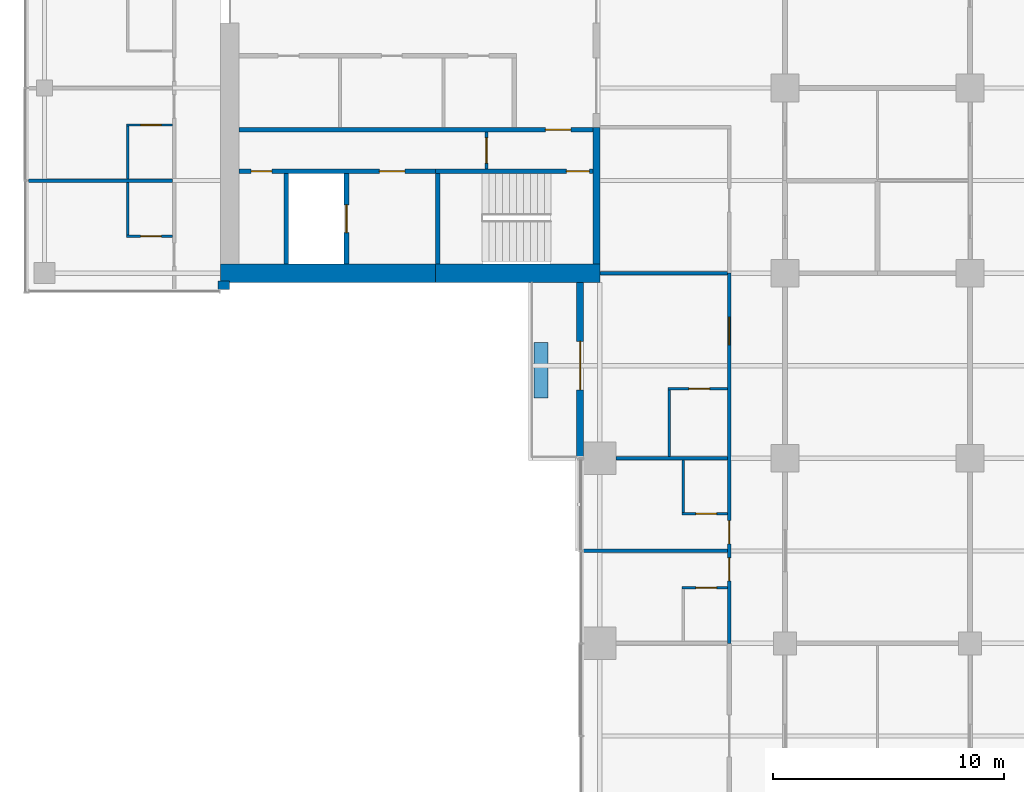
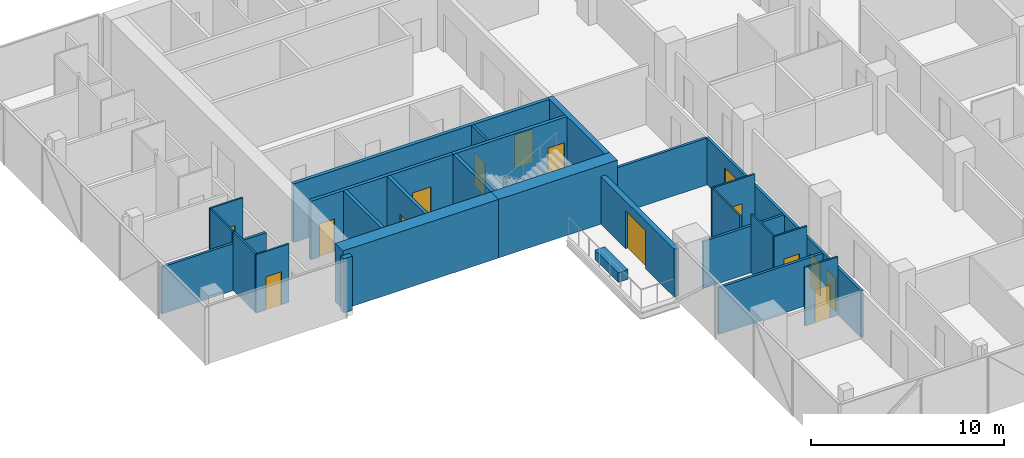
# One storey, part 15 of 27: 27 walls, 15 doors, 15 openings.
"""IFC4 building model written with IfcOpenShell, lengths in metres."""

from ifc_helpers import new_model, si_unit, direction, frame, frame_2d, origin, place, context, subcontext, project, spatial, rectangle, extrude, material, layer, layer_set, constituent, constituent_set, type_object, element, fill, save


model = new_model("IFC4")

# Units and contexts
model_context = context("Model", 3, precision=1e-05, world=origin(), true_north=direction((0.0, 1.0)))
body_context = subcontext(model_context, "Body", "Model", "MODEL_VIEW")
ifc_project = project(units=[si_unit("LENGTHUNIT", "METRE"), si_unit("AREAUNIT", "SQUARE_METRE"), si_unit("VOLUMEUNIT", "CUBIC_METRE"), si_unit("PLANEANGLEUNIT", "RADIAN"), si_unit("MASSUNIT", "GRAM", prefix="KILO")], contexts=[model_context])

# Site, building, storey
site_placement = place(None, origin())
site = spatial("IfcSite", under=ifc_project, at=site_placement, CompositionType="ELEMENT")
building_placement = place(site_placement, origin())
building = spatial("IfcBuilding", under=site, at=building_placement, Name="Crosswind Convention Tower", CompositionType="ELEMENT")
storey_placement = place(building_placement, frame((0.0, 0.0, 68.300048828125)))
storey = spatial("IfcBuildingStorey", under=building, at=storey_placement, Name="L11", CompositionType="ELEMENT", Elevation=68.300048828125)

# Wall
ifc_material_1 = material(Name="Concrete C50/60", Category="concrete")
ifc_layer_1 = layer(ifc_material_1, 0.300048828125)
ifc_layer_set_1 = layer_set([ifc_layer_1], Name="Concrete C50/60")
wall_type_1 = type_object("IfcWallType", Name="Concrete inner core wall 300", PredefinedType="SHEAR", material=ifc_layer_set_1)
wall_1_placement = place(storey_placement, frame((112.85009765625, 94.300048828125, 0.0), z_axis=(0.0, 0.0, 1.0), x_axis=(0.0, -1.0, 0.0)))
element("IfcWall", 1, at=wall_1_placement, inside=storey, type_object=wall_type_1, Name="Wall EP W L11", PredefinedType="SHEAR", context=body_context, shape_type="SweptSolid", body=[
    extrude(rectangle(XDim=5.900146484375, YDim=0.300048828125, at=frame_2d((2.9501953125, 0.0))), origin(), (0.0, 0.0, 1.0), 3.699951171875),
])

# Wall, opening, door
ifc_layer_2 = layer(ifc_material_1, 0.199951171875)
ifc_layer_set_2 = layer_set([ifc_layer_2], Name="Concrete C50/60")
wall_type_2 = type_object("IfcWallType", Name="Concrete shaft and stair wall 200", PredefinedType="SHEAR", material=ifc_layer_set_2)
wall_2_placement = place(storey_placement, frame((112.699951171875, 94.199951171875, 0.0), z_axis=(0.0, 0.0, 1.0), x_axis=(-1.0, 0.0, 0.0)))
wall_2 = element("IfcWall", 2, at=wall_2_placement, inside=storey, type_object=wall_type_2, Name="Wall HP W L11", PredefinedType="SHEAR", context=body_context, shape_type="SweptSolid", body=[
    extrude(rectangle(XDim=15.300048828125, YDim=0.199951171875, at=frame_2d((7.64990234375, 0.0))), origin(), (0.0, 0.0, 1.0), 3.699951171875),
])
opening_1_placement = place(wall_2_placement, frame((0.949951171875, 0.0, 0.0)))
opening_1 = element("IfcOpeningElement", 3, at=opening_1_placement, cuts=wall_2, Name="Opening D104", PredefinedType="OPENING", context=body_context, shape_type="SweptSolid", body=[
    extrude(rectangle(XDim=1.10009765625, YDim=2.10009765625, at=frame_2d((0.550048828125, 1.050048828125))), frame((0.0, 0.10986328125, 0.0), z_axis=(0.0, -1.0, 0.0), x_axis=(1.0, 0.0, 0.0)), (0.0, 0.0, 1.0), 0.219970703125),
])
ifc_material_2 = material(Name="Steel fire door", Category="steel")
door_type_1 = type_object("IfcDoorType", Name="Fire-rated single door 1100x2100", OperationType="NOTDEFINED", PredefinedType="DOOR", material=ifc_material_2)
door_1_placement = place(opening_1_placement, origin())
door_1 = element("IfcDoor", 4, at=door_1_placement, inside=storey, type_object=door_type_1, Name="Corridor door L11", ObjectType="D104", OperationType="SINGLE_SWING_LEFT", OverallHeight=2.10009765625, OverallWidth=1.10009765625, PredefinedType="DOOR", context=body_context, shape_type="SweptSolid", body=[
    extrude(rectangle(XDim=1.10009765625, YDim=2.10009765625, at=frame_2d((0.550048828125, 1.050048828125))), frame((0.0, 0.02490234375, 0.0), z_axis=(0.0, -1.0, 0.0), x_axis=(1.0, 0.0, 0.0)), (0.0, 0.0, 1.0), 0.050048828125),
])
fill(opening_1, door_1)

# Wall
wall_3_placement = place(storey_placement, frame((106.0, 92.300048828125, 0.0), z_axis=(0.0, 0.0, 1.0), x_axis=(0.0, -1.0, 0.0)))
element("IfcWall", 5, at=wall_3_placement, inside=storey, type_object=wall_type_2, Name="Wall PSE W L11", PredefinedType="SHEAR", context=body_context, shape_type="SweptSolid", body=[
    extrude(rectangle(XDim=3.900146484375, YDim=0.199951171875, at=frame_2d((1.9501953125, 0.0))), origin(), (0.0, 0.0, 1.0), 3.699951171875),
])

# Wall, opening, door
wall_4_placement = place(storey_placement, frame((102.050048828125, 92.300048828125, 0.0), z_axis=(0.0, 0.0, 1.0), x_axis=(0.0, -1.0, 0.0)))
wall_4 = element("IfcWall", 6, at=wall_4_placement, inside=storey, type_object=wall_type_2, Name="Wall PFLW W L11", PredefinedType="SHEAR", context=body_context, shape_type="SweptSolid", body=[
    extrude(rectangle(XDim=3.900146484375, YDim=0.199951171875, at=frame_2d((1.9501953125, 0.0))), origin(), (0.0, 0.0, 1.0), 3.699951171875),
])
opening_2_placement = place(wall_4_placement, frame((1.35009765625, 0.0, 0.0)))
opening_2 = element("IfcOpeningElement", 7, at=opening_2_placement, cuts=wall_4, Name="Opening LD1", PredefinedType="OPENING", context=body_context, shape_type="SweptSolid", body=[
    extrude(rectangle(XDim=1.199951171875, YDim=2.10009765625, at=frame_2d((0.60009765625, 1.050048828125))), frame((0.0, 0.10986328125, 0.0), z_axis=(0.0, -1.0, 0.0), x_axis=(1.0, 0.0, 0.0)), (0.0, 0.0, 1.0), 0.219970703125),
])
ifc_material_3 = material(Name="Stainless steel", Category="steel")
door_type_2 = type_object("IfcDoorType", Name="Lift landing door 1200x2100", OperationType="DOUBLE_DOOR_SLIDING", PredefinedType="DOOR", material=ifc_material_3)
door_2_placement = place(opening_2_placement, origin())
door_2 = element("IfcDoor", 8, at=door_2_placement, inside=storey, type_object=door_type_2, Name="Landing door FF2 L11", ObjectType="LD1", OperationType="DOUBLE_DOOR_SLIDING", OverallHeight=2.10009765625, OverallWidth=1.199951171875, PredefinedType="DOOR", context=body_context, shape_type="SweptSolid", body=[
    extrude(rectangle(XDim=1.199951171875, YDim=2.10009765625, at=frame_2d((0.60009765625, 1.050048828125))), frame((0.0, 0.02490234375, 0.0), z_axis=(0.0, -1.0, 0.0), x_axis=(1.0, 0.0, 0.0)), (0.0, 0.0, 1.0), 0.050048828125),
])
fill(opening_2, door_2)

# Wall
wall_5_placement = place(storey_placement, frame((99.449951171875, 92.300048828125, 0.0), z_axis=(0.0, 0.0, 1.0), x_axis=(0.0, -1.0, 0.0)))
element("IfcWall", 9, at=wall_5_placement, inside=storey, type_object=wall_type_2, Name="Wall PFSE W L11", PredefinedType="SHEAR", context=body_context, shape_type="SweptSolid", body=[
    extrude(rectangle(XDim=3.900146484375, YDim=0.199951171875, at=frame_2d((1.9501953125, 0.0))), origin(), (0.0, 0.0, 1.0), 3.699951171875),
])

# Wall, opening, door
wall_6_placement = place(storey_placement, frame((112.699951171875, 92.39990234375, 0.0), z_axis=(0.0, 0.0, 1.0), x_axis=(-1.0, 0.0, 0.0)))
wall_6 = element("IfcWall", 10, at=wall_6_placement, inside=storey, type_object=wall_type_2, Name="Wall PCW W L11", PredefinedType="SHEAR", context=body_context, shape_type="SweptSolid", body=[
    extrude(rectangle(XDim=6.800048828125, YDim=0.199951171875, at=frame_2d((3.39990234375, 0.0))), origin(), (0.0, 0.0, 1.0), 3.699951171875),
])
opening_3_placement = place(wall_6_placement, frame((0.14990234375, 0.0, 0.0)))
opening_3 = element("IfcOpeningElement", 11, at=opening_3_placement, cuts=wall_6, Name="Opening D103", PredefinedType="OPENING", context=body_context, shape_type="SweptSolid", body=[
    extrude(rectangle(XDim=1.0, YDim=2.10009765625, at=frame_2d((0.5, 1.050048828125))), frame((0.0, 0.10986328125, 0.0), z_axis=(0.0, -1.0, 0.0), x_axis=(1.0, 0.0, 0.0)), (0.0, 0.0, 1.0), 0.219970703125),
])
door_type_3 = type_object("IfcDoorType", Name="Fire-rated single door 1000x2100", OperationType="NOTDEFINED", PredefinedType="DOOR", material=ifc_material_2)
door_3_placement = place(opening_3_placement, origin())
door_3 = element("IfcDoor", 12, at=door_3_placement, inside=storey, type_object=door_type_3, Name="Stair ST3 door L11", ObjectType="D103", OperationType="SINGLE_SWING_LEFT", OverallHeight=2.10009765625, OverallWidth=1.0, PredefinedType="DOOR", context=body_context, shape_type="SweptSolid", body=[
    extrude(rectangle(XDim=1.0, YDim=2.10009765625, at=frame_2d((0.5, 1.050048828125))), frame((0.0, 0.02490234375, 0.0), z_axis=(0.0, -1.0, 0.0), x_axis=(1.0, 0.0, 0.0)), (0.0, 0.0, 1.0), 0.050048828125),
])
fill(opening_3, door_3)

# Wall, openings, doors
wall_7_placement = place(storey_placement, frame((105.89990234375, 92.39990234375, 0.0), z_axis=(0.0, 0.0, 1.0), x_axis=(-1.0, 0.0, 0.0)))
wall_7 = element("IfcWall", 13, at=wall_7_placement, inside=storey, type_object=wall_type_2, Name="Wall PCX W L11", PredefinedType="SHEAR", context=body_context, shape_type="SweptSolid", body=[
    extrude(rectangle(XDim=8.5, YDim=0.199951171875, at=frame_2d((4.25, 0.0))), origin(), (0.0, 0.0, 1.0), 3.699951171875),
])
opening_4_placement = place(wall_7_placement, frame((1.324951171875, 0.0, 0.0)))
opening_4 = element("IfcOpeningElement", 14, at=opening_4_placement, cuts=wall_7, Name="Opening D104", PredefinedType="OPENING", context=body_context, shape_type="SweptSolid", body=[
    extrude(rectangle(XDim=1.10009765625, YDim=2.10009765625, at=frame_2d((0.550048828125, 1.050048828125))), frame((0.0, 0.10986328125, 0.0), z_axis=(0.0, -1.0, 0.0), x_axis=(1.0, 0.0, 0.0)), (0.0, 0.0, 1.0), 0.219970703125),
])
opening_5_placement = place(wall_7_placement, frame((7.074951171875, 0.0, 0.0)))
opening_5 = element("IfcOpeningElement", 15, at=opening_5_placement, cuts=wall_7, Name="Opening D106", PredefinedType="OPENING", context=body_context, shape_type="SweptSolid", body=[
    extrude(rectangle(XDim=0.89990234375, YDim=2.10009765625, at=frame_2d((0.449951171875, 1.050048828125))), frame((0.0, 0.10986328125, 0.0), z_axis=(0.0, -1.0, 0.0), x_axis=(1.0, 0.0, 0.0)), (0.0, 0.0, 1.0), 0.219970703125),
])
door_4_placement = place(opening_4_placement, origin())
door_4 = element("IfcDoor", 16, at=door_4_placement, inside=storey, type_object=door_type_1, Name="Fire-fighting lobby FF2 door L11", ObjectType="D104", OperationType="SINGLE_SWING_RIGHT", OverallHeight=2.10009765625, OverallWidth=1.10009765625, PredefinedType="DOOR", context=body_context, shape_type="SweptSolid", body=[
    extrude(rectangle(XDim=1.10009765625, YDim=2.10009765625, at=frame_2d((0.550048828125, 1.050048828125))), frame((0.0, 0.02490234375, 0.0), z_axis=(0.0, -1.0, 0.0), x_axis=(1.0, 0.0, 0.0)), (0.0, 0.0, 1.0), 0.050048828125),
])
fill(opening_4, door_4)
ifc_material_4 = material(Name="Timber door", Category="wood")
door_type_4 = type_object("IfcDoorType", Name="Single leaf door 900x2100", OperationType="NOTDEFINED", PredefinedType="DOOR", material=ifc_material_4)
door_5_placement = place(opening_5_placement, origin())
door_5 = element("IfcDoor", 17, at=door_5_placement, inside=storey, type_object=door_type_4, Name="Door to cleaners' store L11", ObjectType="D106", OperationType="SINGLE_SWING_RIGHT", OverallHeight=2.10009765625, OverallWidth=0.89990234375, PredefinedType="DOOR", context=body_context, shape_type="SweptSolid", body=[
    extrude(rectangle(XDim=0.89990234375, YDim=2.10009765625, at=frame_2d((0.449951171875, 1.050048828125))), frame((0.0, 0.02490234375, 0.0), z_axis=(0.0, -1.0, 0.0), x_axis=(1.0, 0.0, 0.0)), (0.0, 0.0, 1.0), 0.050048828125),
])
fill(opening_5, door_5)

# Wall, opening, door
ifc_material_5 = material(Name="Gypsum plasterboard partition", Category="gypsum")
ifc_layer_3 = layer(ifc_material_5, 0.125)
ifc_layer_set_3 = layer_set([ifc_layer_3], Name="Drywall partition wall 125")
wall_type_3 = type_object("IfcWallType", Name="Drywall partition wall 125", PredefinedType="PARTITIONING", material=ifc_layer_set_3)
wall_8_placement = place(storey_placement, frame((108.10009765625, 94.10009765625, 0.0), z_axis=(0.0, 0.0, 1.0), x_axis=(0.0, -1.0, 0.0)))
wall_8 = element("IfcWall", 18, at=wall_8_placement, inside=storey, type_object=wall_type_3, Name="Wall PXC1 W L11", PredefinedType="PARTITIONING", context=body_context, shape_type="SweptSolid", body=[
    extrude(rectangle(XDim=1.60009765625, YDim=0.125, at=frame_2d((0.800048828125, 0.0))), origin(), (0.0, 0.0, 1.0), 3.699951171875),
])
opening_6_placement = place(wall_8_placement, frame((0.25, 0.0, 0.0)))
opening_6 = element("IfcOpeningElement", 19, at=opening_6_placement, cuts=wall_8, Name="Opening D104", PredefinedType="OPENING", context=body_context, shape_type="SweptSolid", body=[
    extrude(rectangle(XDim=1.10009765625, YDim=2.10009765625, at=frame_2d((0.550048828125, 1.050048828125))), frame((0.0, 0.072509765625, 0.0), z_axis=(0.0, -1.0, 0.0), x_axis=(1.0, 0.0, 0.0)), (0.0, 0.0, 1.0), 0.14501953125),
])
door_6_placement = place(opening_6_placement, origin())
door_6 = element("IfcDoor", 20, at=door_6_placement, inside=storey, type_object=door_type_1, Name="Corridor smoke door L11", ObjectType="D104", OperationType="SINGLE_SWING_RIGHT", OverallHeight=2.10009765625, OverallWidth=1.10009765625, PredefinedType="DOOR", context=body_context, shape_type="SweptSolid", body=[
    extrude(rectangle(XDim=1.10009765625, YDim=2.10009765625, at=frame_2d((0.550048828125, 1.050048828125))), frame((0.0, 0.02490234375, 0.0), z_axis=(0.0, -1.0, 0.0), x_axis=(1.0, 0.0, 0.0)), (0.0, 0.0, 1.0), 0.050048828125),
])
fill(opening_6, door_6)

# Walls
ifc_material_6 = material(Name="Acoustic plasterboard partition", Category="gypsum")
ifc_layer_4 = layer(ifc_material_6, 0.14990234375)
ifc_layer_set_4 = layer_set([ifc_layer_4], Name="GUEST ROOM WALL 150")
wall_type_4 = type_object("IfcWallType", Name="GUEST ROOM WALL 150", PredefinedType="PARTITIONING", material=ifc_layer_set_4)
wall_9_placement = place(storey_placement, frame((112.300048828125, 76.0, 0.0), z_axis=(0.0, 0.0, 1.0), x_axis=(1.0, 0.0, 0.0)))
element("IfcWall", 21, at=wall_9_placement, inside=storey, type_object=wall_type_4, Name="Guest Room Wall 8", PredefinedType="PARTITIONING", context=body_context, shape_type="SweptSolid", body=[
    extrude(rectangle(XDim=6.224853515625, YDim=0.14990234375, at=frame_2d((3.1123046875, 0.0))), origin(), (0.0, 0.0, 1.0), 2.962646484375),
])
wall_10_placement = place(storey_placement, frame((113.699951171875, 80.0, 0.0), z_axis=(0.0, 0.0, 1.0), x_axis=(1.0, 0.0, 0.0)))
element("IfcWall", 22, at=wall_10_placement, inside=storey, type_object=wall_type_4, Name="Guest Room Wall 11", PredefinedType="PARTITIONING", context=body_context, shape_type="SweptSolid", body=[
    extrude(rectangle(XDim=4.824951171875, YDim=0.14990234375, at=frame_2d((2.41259765625, 0.0))), origin(), (0.0, 0.0, 1.0), 2.959716796875),
])
wall_11_placement = place(storey_placement, frame((113.0, 88.0, 0.0), z_axis=(0.0, 0.0, 1.0), x_axis=(1.0, 0.0, 0.0)))
element("IfcWall", 23, at=wall_11_placement, inside=storey, type_object=wall_type_4, Name="Guest Room Wall 15", PredefinedType="PARTITIONING", context=body_context, shape_type="SweptSolid", body=[
    extrude(rectangle(XDim=5.52490234375, YDim=0.14990234375, at=frame_2d((2.762451171875, 0.0))), origin(), (0.0, 0.0, 1.0), 2.956298828125),
])
wall_12_placement = place(storey_placement, frame((88.300048828125, 92.0, 0.0), z_axis=(0.0, 0.0, 1.0), x_axis=(1.0, 0.0, 0.0)))
element("IfcWall", 24, at=wall_12_placement, inside=storey, type_object=wall_type_4, Name="Guest Room Wall 21", PredefinedType="PARTITIONING", context=body_context, shape_type="SweptSolid", body=[
    extrude(rectangle(XDim=6.224853515625, YDim=0.14990234375, at=frame_2d((3.1123046875, 0.0))), origin(), (0.0, 0.0, 1.0), 2.962646484375),
])

# Wall, openings, doors
wall_13_placement = place(storey_placement, frame((118.60009765625, 72.0, 0.0), z_axis=(0.0, 0.0, 1.0), x_axis=(0.0, 1.0, 0.0)))
wall_13 = element("IfcWall", 25, at=wall_13_placement, inside=storey, type_object=wall_type_4, Name="Guest Room Wall 83", PredefinedType="PARTITIONING", context=body_context, shape_type="SweptSolid", body=[
    extrude(rectangle(XDim=16.0, YDim=0.14990234375, at=frame_2d((8.0, 0.0))), origin(), (0.0, 0.0, 1.0), 2.956298828125),
])
opening_7_placement = place(wall_13_placement, frame((12.89990234375, 0.0, 0.0)))
opening_7 = element("IfcOpeningElement", 26, at=opening_7_placement, cuts=wall_13, Name="Opening 11.028", PredefinedType="OPENING", context=body_context, shape_type="SweptSolid", body=[
    extrude(rectangle(XDim=1.199951171875, YDim=2.199951171875, at=frame_2d((0.60009765625, 1.10009765625))), frame((0.0, 0.0849609375, 0.0), z_axis=(0.0, -1.0, 0.0), x_axis=(1.0, 0.0, 0.0)), (0.0, 0.0, 1.0), 0.169921875),
])
opening_8_placement = place(wall_13_placement, frame((4.300048828125, 0.0, 0.0)))
opening_8 = element("IfcOpeningElement", 27, at=opening_8_placement, cuts=wall_13, Name="Opening 11.030", PredefinedType="OPENING", context=body_context, shape_type="SweptSolid", body=[
    extrude(rectangle(XDim=1.0, YDim=2.10009765625, at=frame_2d((0.5, 1.050048828125))), frame((0.0, 0.0849609375, 0.0), z_axis=(0.0, -1.0, 0.0), x_axis=(1.0, 0.0, 0.0)), (0.0, 0.0, 1.0), 0.169921875),
])
opening_9_placement = place(wall_13_placement, frame((2.699951171875, 0.0, 0.0)))
opening_9 = element("IfcOpeningElement", 28, at=opening_9_placement, cuts=wall_13, Name="Opening 11.032", PredefinedType="OPENING", context=body_context, shape_type="SweptSolid", body=[
    extrude(rectangle(XDim=1.0, YDim=2.10009765625, at=frame_2d((0.5, 1.050048828125))), frame((0.0, 0.0849609375, 0.0), z_axis=(0.0, -1.0, 0.0), x_axis=(1.0, 0.0, 0.0)), (0.0, 0.0, 1.0), 0.169921875),
])
ifc_material_7 = material(Name="Timber fire door", Category="wood")
door_type_5 = type_object("IfcDoorType", Name="GUEST ROOM DOOR 1000X2100", OperationType="NOTDEFINED", PredefinedType="DOOR", material=ifc_material_7)
door_7_placement = place(opening_8_placement, origin())
door_7 = element("IfcDoor", 29, at=door_7_placement, inside=storey, type_object=door_type_5, Name="Door 11.030", ObjectType="D1", OperationType="SINGLE_SWING_RIGHT", OverallHeight=2.10009765625, OverallWidth=1.0, PredefinedType="DOOR", context=body_context, shape_type="SweptSolid", body=[
    extrude(rectangle(XDim=1.0, YDim=2.10009765625, at=frame_2d((0.5, 1.050048828125))), frame((0.0, 0.02490234375, 0.0), z_axis=(0.0, -1.0, 0.0), x_axis=(1.0, 0.0, 0.0)), (0.0, 0.0, 1.0), 0.050048828125),
])
fill(opening_8, door_7)
door_8_placement = place(opening_9_placement, origin())
door_8 = element("IfcDoor", 30, at=door_8_placement, inside=storey, type_object=door_type_5, Name="Door 11.032", ObjectType="D1", OperationType="SINGLE_SWING_RIGHT", OverallHeight=2.10009765625, OverallWidth=1.0, PredefinedType="DOOR", context=body_context, shape_type="SweptSolid", body=[
    extrude(rectangle(XDim=1.0, YDim=2.10009765625, at=frame_2d((0.5, 1.050048828125))), frame((0.0, 0.02490234375, 0.0), z_axis=(0.0, -1.0, 0.0), x_axis=(1.0, 0.0, 0.0)), (0.0, 0.0, 1.0), 0.050048828125),
])
fill(opening_9, door_8)
door_type_6 = type_object("IfcDoorType", Name="SUITE DOOR 1200X2200", OperationType="DOUBLE_DOOR_SINGLE_SWING", PredefinedType="DOOR", material=ifc_material_7)
door_9_placement = place(opening_7_placement, origin())
door_9 = element("IfcDoor", 31, at=door_9_placement, inside=storey, type_object=door_type_6, Name="Door 11.028", ObjectType="D14", OperationType="DOUBLE_DOOR_SINGLE_SWING", OverallHeight=2.199951171875, OverallWidth=1.199951171875, PredefinedType="DOOR", context=body_context, shape_type="SweptSolid", body=[
    extrude(rectangle(XDim=1.199951171875, YDim=2.199951171875, at=frame_2d((0.60009765625, 1.10009765625))), frame((0.0, 0.02490234375, 0.0), z_axis=(0.0, -1.0, 0.0), x_axis=(1.0, 0.0, 0.0)), (0.0, 0.0, 1.0), 0.050048828125),
])
fill(opening_7, door_9)

# Walls
ifc_material_8 = material(Name="Concrete C30/37", Category="concrete")
ifc_layer_5 = layer(ifc_material_8, 0.60009765625)
ifc_layer_set_5 = layer_set([ifc_layer_5], Name="Concrete C30/37")
wall_type_5 = type_object("IfcWallType", Name="PLANTER BOX WALL 600", PredefinedType="SOLIDWALL", material=ifc_layer_set_5)
wall_14_placement = place(storey_placement, frame((110.449951171875, 85.0, 0.0), z_axis=(0.0, 0.0, 1.0), x_axis=(0.0, -1.0, 0.0)))
element("IfcWall", 32, at=wall_14_placement, inside=storey, type_object=wall_type_5, Name="PLANTER L11 S-W.1-1", PredefinedType="SOLIDWALL", context=body_context, shape_type="SweptSolid", body=[
    extrude(rectangle(XDim=2.39990234375, YDim=0.60009765625, at=frame_2d((1.199951171875, 0.0))), origin(), (0.0, 0.0, 1.0), 0.599853515625),
])
ifc_material_9 = material(Name="Terracotta rainscreen", Category="ceramic")
ifc_layer_6 = layer(ifc_material_9, 0.02001953125)
ifc_material_10 = material(Name="Mineral wool insulation", Category="insulation")
ifc_layer_7 = layer(ifc_material_10, 0.10009765625)
ifc_material_11 = material(Name="Concrete blockwork", Category="masonry")
ifc_layer_8 = layer(ifc_material_11, 0.236083984375)
ifc_layer_set_6 = layer_set([ifc_layer_6, ifc_layer_7, ifc_layer_8], Name="TERRACOTTA CORNER INFILL WALL 356")
wall_type_6 = type_object("IfcWallType", Name="TERRACOTTA CORNER INFILL WALL 356", PredefinedType="SOLIDWALL", material=ifc_layer_set_6)
wall_15_placement = place(storey_placement, frame((96.4951171875, 87.47802734375, 0.0), z_axis=(0.0, 0.0, 1.0), x_axis=(1.0, 0.0, 0.0)))
element("IfcWall", 33, at=wall_15_placement, inside=storey, type_object=wall_type_6, Name="Core corner infill wall L11 3", PredefinedType="SOLIDWALL", context=body_context, shape_type="SweptSolid", body=[
    extrude(rectangle(XDim=0.5048828125, YDim=0.35595703125, at=frame_2d((0.25244140625, 0.0))), origin(), (0.0, 0.0, 1.0), 3.419921875),
])

# Wall, opening, door
ifc_layer_9 = layer(ifc_material_9, 0.02001953125)
ifc_layer_10 = layer(ifc_material_10, 0.10009765625)
ifc_layer_11 = layer(ifc_material_11, 0.179931640625)
ifc_layer_set_7 = layer_set([ifc_layer_9, ifc_layer_10, ifc_layer_11], Name="TERRACOTTA INFILL WALL 300")
wall_type_7 = type_object("IfcWallType", Name="TERRACOTTA INFILL WALL 300", PredefinedType="SOLIDWALL", material=ifc_layer_set_7)
wall_16_placement = place(storey_placement, frame((112.14990234375, 87.60009765625, 0.0), z_axis=(0.0, 0.0, 1.0), x_axis=(0.0, -1.0, 0.0)))
wall_16 = element("IfcWall", 34, at=wall_16_placement, inside=storey, type_object=wall_type_7, Name="Notch front wall L11 S-W.1-1", PredefinedType="SOLIDWALL", context=body_context, shape_type="SweptSolid", body=[
    extrude(rectangle(XDim=7.567626953125, YDim=0.300048828125, at=frame_2d((3.78369140625, 0.0))), origin(), (0.0, 0.0, 1.0), 3.013671875),
])
opening_10_placement = place(wall_16_placement, frame((2.550048828125, 0.0, 0.0)))
opening_10 = element("IfcOpeningElement", 35, at=opening_10_placement, cuts=wall_16, Name="Opening D141", PredefinedType="OPENING", context=body_context, shape_type="SweptSolid", body=[
    extrude(rectangle(XDim=2.10009765625, YDim=2.39990234375, at=frame_2d((1.050048828125, 1.199951171875))), frame((0.0, 0.159912109375, 0.0), z_axis=(0.0, -1.0, 0.0), x_axis=(1.0, 0.0, 0.0)), (0.0, 0.0, 1.0), 0.320068359375),
])
ifc_material_12 = material(Name="Aluminium glazed door", Category="aluminium")
door_type_7 = type_object("IfcDoorType", Name="BALCONY SLIDING DOOR 2100X2400", OperationType="SLIDING_TO_LEFT", PredefinedType="DOOR", material=ifc_material_12)
door_10_placement = place(opening_10_placement, frame((2.10009765625, 0.0, 0.0), z_axis=(0.0, 0.0, 1.0), x_axis=(-1.0, 0.0, 0.0)))
door_10 = element("IfcDoor", 36, at=door_10_placement, inside=storey, type_object=door_type_7, Name="D141 balcony door L11 S-W.1-1", ObjectType="D141", OperationType="SLIDING_TO_LEFT", OverallHeight=2.39990234375, OverallWidth=2.10009765625, PredefinedType="DOOR", context=body_context, shape_type="SweptSolid", body=[
    extrude(rectangle(XDim=2.10009765625, YDim=2.39990234375, at=frame_2d((1.050048828125, 1.199951171875))), frame((0.0, 0.02490234375, 0.0), z_axis=(0.0, -1.0, 0.0), x_axis=(1.0, 0.0, 0.0)), (0.0, 0.0, 1.0), 0.050048828125),
])
fill(opening_10, door_10)

# Walls
ifc_material_13 = material(Name="Concrete C60/75", Category="concrete")
ifc_constituent_1 = constituent(ifc_material_13, Name="Structure")
ifc_constituent_2 = constituent(ifc_material_9, Name="Facing")
ifc_constituent_set = constituent_set(constituents=[ifc_constituent_1, ifc_constituent_2], Name="Concrete C60/75, Terracotta rainscreen")
wall_type_8 = type_object("IfcWallType", Name="Terracotta rainscreen on concrete core wall 800", PredefinedType="SHEAR", material=ifc_constituent_set)
wall_17_placement = place(storey_placement, frame((113.0, 88.0, 0.0), z_axis=(0.0, 0.0, 1.0), x_axis=(-1.0, 0.0, 0.0)))
element("IfcWall", 37, at=wall_17_placement, inside=storey, type_object=wall_type_8, Name="Wall N1 W L11", PredefinedType="SHEAR", context=body_context, shape_type="SweptSolid", body=[
    extrude(rectangle(XDim=7.10009765625, YDim=0.800048828125, at=frame_2d((3.550048828125, 0.0))), origin(), (0.0, 0.0, 1.0), 3.699951171875),
])
wall_18_placement = place(storey_placement, frame((105.89990234375, 88.0, 0.0), z_axis=(0.0, 0.0, 1.0), x_axis=(-1.0, 0.0, 0.0)))
element("IfcWall", 38, at=wall_18_placement, inside=storey, type_object=wall_type_8, Name="Wall N2 W L11", PredefinedType="SHEAR", context=body_context, shape_type="SweptSolid", body=[
    extrude(rectangle(XDim=9.2998046875, YDim=0.800048828125, at=frame_2d((4.64990234375, 0.0))), origin(), (0.0, 0.0, 1.0), 3.699951171875),
])

# Wall, opening, door
ifc_material_14 = material(Name="Water-resistant plasterboard partition", Category="gypsum")
ifc_layer_12 = layer(ifc_material_14, 0.10009765625)
ifc_layer_set_8 = layer_set([ifc_layer_12], Name="WET ROOM PARTITION 100")
wall_type_9 = type_object("IfcWallType", Name="WET ROOM PARTITION 100", PredefinedType="PLUMBINGWALL", material=ifc_layer_set_8)
wall_19_placement = place(storey_placement, frame((116.550048828125, 74.39990234375, 0.0), z_axis=(0.0, 0.0, 1.0), x_axis=(1.0, 0.0, 0.0)))
wall_19 = element("IfcWall", 39, at=wall_19_placement, inside=storey, type_object=wall_type_9, Name="Wet Room Partition 7", PredefinedType="PLUMBINGWALL", context=body_context, shape_type="SweptSolid", body=[
    extrude(rectangle(XDim=1.974853515625, YDim=0.10009765625, at=frame_2d((0.9873046875, 0.0))), origin(), (0.0, 0.0, 1.0), 3.699951171875),
])
opening_11_placement = place(wall_19_placement, frame((0.60009765625, 0.0, 0.0)))
opening_11 = element("IfcOpeningElement", 40, at=opening_11_placement, cuts=wall_19, Name="Opening 11.033", PredefinedType="OPENING", context=body_context, shape_type="SweptSolid", body=[
    extrude(rectangle(XDim=0.89990234375, YDim=2.10009765625, at=frame_2d((0.449951171875, 1.050048828125))), frame((0.0, 0.06005859375, 0.0), z_axis=(0.0, -1.0, 0.0), x_axis=(1.0, 0.0, 0.0)), (0.0, 0.0, 1.0), 0.1201171875),
])
door_type_8 = type_object("IfcDoorType", Name="EN-SUITE DOOR 900X2100", OperationType="NOTDEFINED", PredefinedType="DOOR", material=ifc_material_4)
door_11_placement = place(opening_11_placement, frame((0.89990234375, 0.0, 0.0), z_axis=(0.0, 0.0, 1.0), x_axis=(-1.0, 0.0, 0.0)))
door_11 = element("IfcDoor", 41, at=door_11_placement, inside=storey, type_object=door_type_8, Name="Door 11.033", ObjectType="D2", OperationType="SINGLE_SWING_LEFT", OverallHeight=2.10009765625, OverallWidth=0.89990234375, PredefinedType="DOOR", context=body_context, shape_type="SweptSolid", body=[
    extrude(rectangle(XDim=0.89990234375, YDim=2.10009765625, at=frame_2d((0.449951171875, 1.050048828125))), frame((0.0, 0.02490234375, 0.0), z_axis=(0.0, -1.0, 0.0), x_axis=(1.0, 0.0, 0.0)), (0.0, 0.0, 1.0), 0.050048828125),
])
fill(opening_11, door_11)

wall_20_placement = place(storey_placement, frame((116.550048828125, 77.60009765625, 0.0), z_axis=(0.0, 0.0, 1.0), x_axis=(1.0, 0.0, 0.0)))
wall_20 = element("IfcWall", 42, at=wall_20_placement, inside=storey, type_object=wall_type_9, Name="Wet Room Partition 10", PredefinedType="PLUMBINGWALL", context=body_context, shape_type="SweptSolid", body=[
    extrude(rectangle(XDim=1.974853515625, YDim=0.10009765625, at=frame_2d((0.9873046875, 0.0))), origin(), (0.0, 0.0, 1.0), 3.699951171875),
])
opening_12_placement = place(wall_20_placement, frame((0.60009765625, 0.0, 0.0)))
opening_12 = element("IfcOpeningElement", 43, at=opening_12_placement, cuts=wall_20, Name="Opening 11.031", PredefinedType="OPENING", context=body_context, shape_type="SweptSolid", body=[
    extrude(rectangle(XDim=0.89990234375, YDim=2.10009765625, at=frame_2d((0.449951171875, 1.050048828125))), frame((0.0, 0.06005859375, 0.0), z_axis=(0.0, -1.0, 0.0), x_axis=(1.0, 0.0, 0.0)), (0.0, 0.0, 1.0), 0.1201171875),
])
door_12_placement = place(opening_12_placement, origin())
door_12 = element("IfcDoor", 44, at=door_12_placement, inside=storey, type_object=door_type_8, Name="Door 11.031", ObjectType="D2", OperationType="SINGLE_SWING_RIGHT", OverallHeight=2.10009765625, OverallWidth=0.89990234375, PredefinedType="DOOR", context=body_context, shape_type="SweptSolid", body=[
    extrude(rectangle(XDim=0.89990234375, YDim=2.10009765625, at=frame_2d((0.449951171875, 1.050048828125))), frame((0.0, 0.02490234375, 0.0), z_axis=(0.0, -1.0, 0.0), x_axis=(1.0, 0.0, 0.0)), (0.0, 0.0, 1.0), 0.050048828125),
])
fill(opening_12, door_12)

wall_21_placement = place(storey_placement, frame((115.949951171875, 83.0, 0.0), z_axis=(0.0, 0.0, 1.0), x_axis=(1.0, 0.0, 0.0)))
wall_21 = element("IfcWall", 45, at=wall_21_placement, inside=storey, type_object=wall_type_9, Name="Wet Room Partition 13", PredefinedType="PLUMBINGWALL", context=body_context, shape_type="SweptSolid", body=[
    extrude(rectangle(XDim=2.574951171875, YDim=0.10009765625, at=frame_2d((1.28759765625, 0.0))), origin(), (0.0, 0.0, 1.0), 3.699951171875),
])
opening_13_placement = place(wall_21_placement, frame((0.89990234375, 0.0, 0.0)))
opening_13 = element("IfcOpeningElement", 46, at=opening_13_placement, cuts=wall_21, Name="Opening 11.029", PredefinedType="OPENING", context=body_context, shape_type="SweptSolid", body=[
    extrude(rectangle(XDim=0.89990234375, YDim=2.10009765625, at=frame_2d((0.449951171875, 1.050048828125))), frame((0.0, 0.06005859375, 0.0), z_axis=(0.0, -1.0, 0.0), x_axis=(1.0, 0.0, 0.0)), (0.0, 0.0, 1.0), 0.1201171875),
])
door_13_placement = place(opening_13_placement, frame((0.89990234375, 0.0, 0.0), z_axis=(0.0, 0.0, 1.0), x_axis=(-1.0, 0.0, 0.0)))
door_13 = element("IfcDoor", 47, at=door_13_placement, inside=storey, type_object=door_type_8, Name="Door 11.029", ObjectType="D2", OperationType="SINGLE_SWING_LEFT", OverallHeight=2.10009765625, OverallWidth=0.89990234375, PredefinedType="DOOR", context=body_context, shape_type="SweptSolid", body=[
    extrude(rectangle(XDim=0.89990234375, YDim=2.10009765625, at=frame_2d((0.449951171875, 1.050048828125))), frame((0.0, 0.02490234375, 0.0), z_axis=(0.0, -1.0, 0.0), x_axis=(1.0, 0.0, 0.0)), (0.0, 0.0, 1.0), 0.050048828125),
])
fill(opening_13, door_13)

wall_22_placement = place(storey_placement, frame((92.550048828125, 89.60009765625, 0.0), z_axis=(0.0, 0.0, 1.0), x_axis=(1.0, 0.0, 0.0)))
wall_22 = element("IfcWall", 48, at=wall_22_placement, inside=storey, type_object=wall_type_9, Name="Wet Room Partition 19", PredefinedType="PLUMBINGWALL", context=body_context, shape_type="SweptSolid", body=[
    extrude(rectangle(XDim=1.974853515625, YDim=0.10009765625, at=frame_2d((0.9873046875, 0.0))), origin(), (0.0, 0.0, 1.0), 3.699951171875),
])
opening_14_placement = place(wall_22_placement, frame((0.60009765625, 0.0, 0.0)))
opening_14 = element("IfcOpeningElement", 49, at=opening_14_placement, cuts=wall_22, Name="Opening 11.046", PredefinedType="OPENING", context=body_context, shape_type="SweptSolid", body=[
    extrude(rectangle(XDim=0.89990234375, YDim=2.10009765625, at=frame_2d((0.449951171875, 1.050048828125))), frame((0.0, 0.06005859375, 0.0), z_axis=(0.0, -1.0, 0.0), x_axis=(1.0, 0.0, 0.0)), (0.0, 0.0, 1.0), 0.1201171875),
])
door_14_placement = place(opening_14_placement, origin())
door_14 = element("IfcDoor", 50, at=door_14_placement, inside=storey, type_object=door_type_8, Name="Door 11.046", ObjectType="D2", OperationType="SINGLE_SWING_RIGHT", OverallHeight=2.10009765625, OverallWidth=0.89990234375, PredefinedType="DOOR", context=body_context, shape_type="SweptSolid", body=[
    extrude(rectangle(XDim=0.89990234375, YDim=2.10009765625, at=frame_2d((0.449951171875, 1.050048828125))), frame((0.0, 0.02490234375, 0.0), z_axis=(0.0, -1.0, 0.0), x_axis=(1.0, 0.0, 0.0)), (0.0, 0.0, 1.0), 0.050048828125),
])
fill(opening_14, door_14)

wall_23_placement = place(storey_placement, frame((92.550048828125, 94.39990234375, 0.0), z_axis=(0.0, 0.0, 1.0), x_axis=(1.0, 0.0, 0.0)))
wall_23 = element("IfcWall", 51, at=wall_23_placement, inside=storey, type_object=wall_type_9, Name="Wet Room Partition 27", PredefinedType="PLUMBINGWALL", context=body_context, shape_type="SweptSolid", body=[
    extrude(rectangle(XDim=1.974853515625, YDim=0.10009765625, at=frame_2d((0.9873046875, 0.0))), origin(), (0.0, 0.0, 1.0), 3.699951171875),
])
opening_15_placement = place(wall_23_placement, frame((0.60009765625, 0.0, 0.0)))
opening_15 = element("IfcOpeningElement", 52, at=opening_15_placement, cuts=wall_23, Name="Opening 11.048", PredefinedType="OPENING", context=body_context, shape_type="SweptSolid", body=[
    extrude(rectangle(XDim=0.89990234375, YDim=2.10009765625, at=frame_2d((0.449951171875, 1.050048828125))), frame((0.0, 0.06005859375, 0.0), z_axis=(0.0, -1.0, 0.0), x_axis=(1.0, 0.0, 0.0)), (0.0, 0.0, 1.0), 0.1201171875),
])
door_15_placement = place(opening_15_placement, frame((0.89990234375, 0.0, 0.0), z_axis=(0.0, 0.0, 1.0), x_axis=(-1.0, 0.0, 0.0)))
door_15 = element("IfcDoor", 53, at=door_15_placement, inside=storey, type_object=door_type_8, Name="Door 11.048", ObjectType="D2", OperationType="SINGLE_SWING_LEFT", OverallHeight=2.10009765625, OverallWidth=0.89990234375, PredefinedType="DOOR", context=body_context, shape_type="SweptSolid", body=[
    extrude(rectangle(XDim=0.89990234375, YDim=2.10009765625, at=frame_2d((0.449951171875, 1.050048828125))), frame((0.0, 0.02490234375, 0.0), z_axis=(0.0, -1.0, 0.0), x_axis=(1.0, 0.0, 0.0)), (0.0, 0.0, 1.0), 0.050048828125),
])
fill(opening_15, door_15)

# Walls
for number, where, z_axis, x_axis, name in (
    (54, (92.60009765625, 89.64990234375, 0.0), (0.0, 0.0, 1.0), (0.0, 1.0, 0.0), "Wet Room Partition 68"),
    (55, (92.60009765625, 92.074951171875, 0.0), (0.0, 0.0, 1.0), (0.0, 1.0, 0.0), "Wet Room Partition 69"),
):
    element("IfcWall", number, at=place(storey_placement, frame(where, z_axis=z_axis, x_axis=x_axis)), inside=storey, type_object=wall_type_9, Name=name, PredefinedType="PLUMBINGWALL", context=body_context, shape_type="SweptSolid", body=[
        extrude(rectangle(XDim=2.275146484375, YDim=0.10009765625, at=frame_2d((1.1376953125, 0.0))), origin(), (0.0, 0.0, 1.0), 3.699951171875),
    ])
wall_24_placement = place(storey_placement, frame((116.0, 80.074951171875, 0.0), z_axis=(0.0, 0.0, 1.0), x_axis=(0.0, 1.0, 0.0)))
element("IfcWall", 56, at=wall_24_placement, inside=storey, type_object=wall_type_9, Name="Wet Room Partition 75", PredefinedType="PLUMBINGWALL", context=body_context, shape_type="SweptSolid", body=[
    extrude(rectangle(XDim=2.875, YDim=0.10009765625, at=frame_2d((1.4375, 0.0))), origin(), (0.0, 0.0, 1.0), 3.699951171875),
])
wall_25_placement = place(storey_placement, frame((116.60009765625, 77.64990234375, 0.0), z_axis=(0.0, 0.0, 1.0), x_axis=(0.0, 1.0, 0.0)))
element("IfcWall", 57, at=wall_25_placement, inside=storey, type_object=wall_type_9, Name="Wet Room Partition 78", PredefinedType="PLUMBINGWALL", context=body_context, shape_type="SweptSolid", body=[
    extrude(rectangle(XDim=2.275146484375, YDim=0.10009765625, at=frame_2d((1.1376953125, 0.0))), origin(), (0.0, 0.0, 1.0), 3.699951171875),
])

save(model, "model.ifc")
